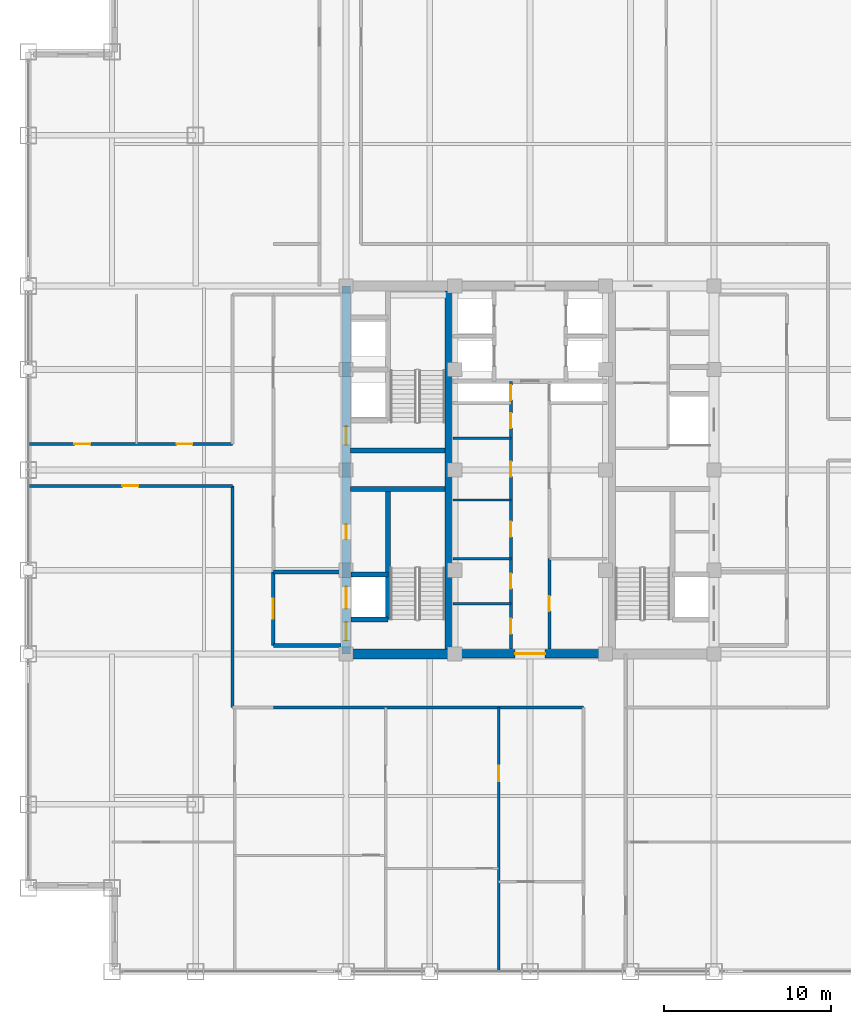
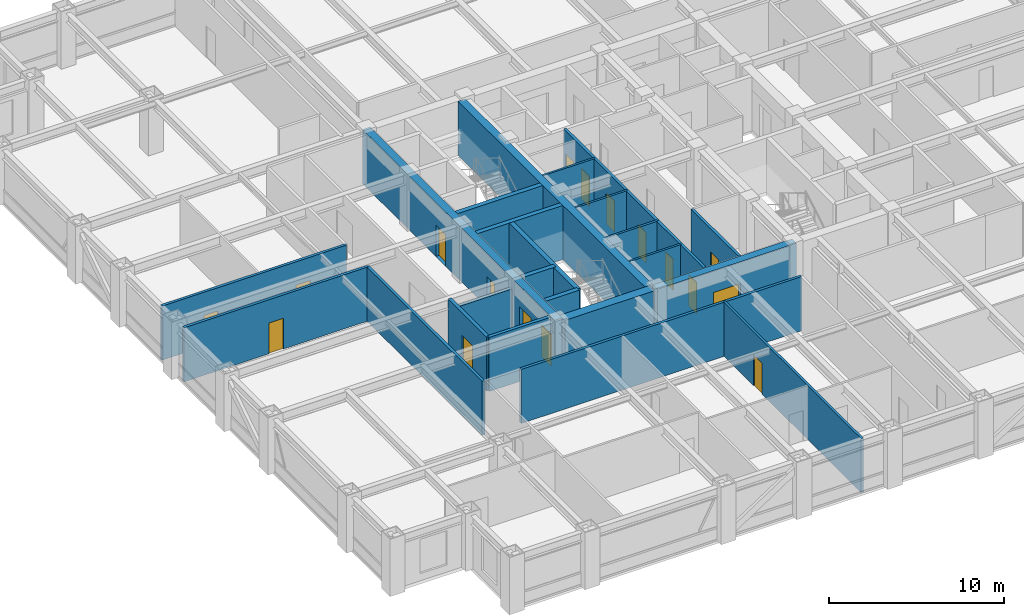
# One storey, part 20 of 24: 24 walls, 17 doors, 17 openings.
"""IFC4 building model written with IfcOpenShell, lengths in metres."""

from ifc_helpers import new_model, si_unit, direction, frame, frame_2d, origin, place, context, subcontext, project, spatial, rectangle, extrude, source, transform, mapped, material, layer, layer_set, type_object, element, fill, save


model = new_model("IFC4")

# Units and contexts
model_context = context("Model", 3, precision=1e-05, world=origin(), true_north=direction((0.0, 1.0)))
body_context = subcontext(model_context, "Body", "Model", "MODEL_VIEW")
ifc_project = project(units=[si_unit("LENGTHUNIT", "METRE"), si_unit("AREAUNIT", "SQUARE_METRE"), si_unit("VOLUMEUNIT", "CUBIC_METRE"), si_unit("PLANEANGLEUNIT", "RADIAN"), si_unit("MASSUNIT", "GRAM", prefix="KILO")], contexts=[model_context])

# Site, building, storey
site_placement = place(None, origin())
site = spatial("IfcSite", under=ifc_project, at=site_placement, CompositionType="ELEMENT")
building_placement = place(site_placement, origin())
building = spatial("IfcBuilding", under=site, at=building_placement, Name="Khorayat Bourse Tower", CompositionType="ELEMENT")
storey_placement = place(building_placement, frame((0.0, 0.0, 211.10009765625)))
storey = spatial("IfcBuildingStorey", under=building, at=storey_placement, Name="L49", CompositionType="ELEMENT", Elevation=211.10009765625)

# Wall
ifc_material_1 = material(Name="Concrete C52/65", Category="concrete")
ifc_layer_1 = layer(ifc_material_1, 0.5)
ifc_layer_set_1 = layer_set([ifc_layer_1], Name="Concrete C52/65")
wall_type_1 = type_object("IfcWallType", Name="WAL-CORE-500", PredefinedType="SHEAR", material=ifc_layer_set_1)
shared_shape_1 = source(origin(), body_context, "Body", "SweptSolid", [
    extrude(rectangle(XDim=21.39990234375, YDim=0.5, at=frame_2d((10.699951171875, 0.0))), origin(), (0.0, 0.0, 1.0), 3.77978515625),
])
wall_1_placement = place(storey_placement, frame((-4.85009765625, -10.699951171875, 0.0), z_axis=(0.0, 0.0, 1.0), x_axis=(0.0, 1.0, 0.0)))
element("IfcWall", 1, at=wall_1_placement, inside=storey, type_object=wall_type_1, Name="L49 Core Shear Wall PIER-W", PredefinedType="SHEAR", context=body_context, shape_type="MappedRepresentation", body=[
    mapped(shared_shape_1, transform((0.0, 0.0, 0.0), scale=1.0)),
])

# Wall, opening, door
shared_shape_2 = source(origin(), body_context, "Body", "SweptSolid", [
    extrude(rectangle(XDim=9.2001953125, YDim=0.5, at=frame_2d((4.60009765625, 0.0))), origin(), (0.0, 0.0, 1.0), 3.77978515625),
])
wall_2_placement = place(storey_placement, frame((-4.60009765625, -11.0, 0.0), z_axis=(0.0, 0.0, 1.0), x_axis=(1.0, 0.0, 0.0)))
wall_2 = element("IfcWall", 2, at=wall_2_placement, inside=storey, type_object=wall_type_1, Name="L49 Core Shear Wall CORE-S", PredefinedType="SHEAR", context=body_context, shape_type="MappedRepresentation", body=[
    mapped(shared_shape_2, transform((0.0, 0.0, 0.0), scale=1.0)),
])
shared_shape_3 = source(origin(), body_context, "Body", "SweptSolid", [
    extrude(rectangle(XDim=1.800048828125, YDim=2.25, at=frame_2d((0.89990234375, 1.125))), frame((0.0, 0.260009765625, 0.0), z_axis=(0.0, -1.0, 0.0), x_axis=(1.0, 0.0, 0.0)), (0.0, 0.0, 1.0), 0.52001953125),
])
opening_1_placement = place(wall_2_placement, frame((3.699951171875, 0.0, 0.0)))
opening_1 = element("IfcOpeningElement", 3, at=opening_1_placement, cuts=wall_2, Name="Opening DI-03", PredefinedType="OPENING", context=body_context, shape_type="MappedRepresentation", body=[
    mapped(shared_shape_3, transform((0.0, 0.0, 0.0), scale=1.0)),
])
ifc_material_2 = material(Name="Fire-rated hardwood vision-panel double leaf", Category="wood")
door_type_1 = type_object("IfcDoorType", Name="DR-INT-CORR-1800", OperationType="NOTDEFINED", PredefinedType="DOOR", material=ifc_material_2)
shared_shape_4 = source(origin(), body_context, "Body", "SweptSolid", [
    extrude(rectangle(XDim=1.800048828125, YDim=2.25, at=frame_2d((0.89990234375, 1.125))), frame((0.0, 0.02490234375, 0.0), z_axis=(0.0, -1.0, 0.0), x_axis=(1.0, 0.0, 0.0)), (0.0, 0.0, 1.0), 0.050048828125),
])
door_1_placement = place(opening_1_placement, origin())
door_1 = element("IfcDoor", 4, at=door_1_placement, inside=storey, type_object=door_type_1, Name="L49 Central Core South Passage Door", OperationType="SINGLE_SWING_LEFT", OverallHeight=2.25, OverallWidth=1.800048828125, PredefinedType="DOOR", context=body_context, shape_type="MappedRepresentation", body=[
    mapped(shared_shape_4, transform((0.0, 0.0, 0.0), scale=1.0)),
])
fill(opening_1, door_1)

# Wall, openings, doors
shared_shape_5 = source(origin(), body_context, "Body", "SweptSolid", [
    extrude(rectangle(XDim=22.0, YDim=0.5, at=frame_2d((11.0, 0.0))), origin(), (0.0, 0.0, 1.0), 3.77978515625),
])
wall_3_placement = place(storey_placement, frame((-11.0, -11.0, 0.0), z_axis=(0.0, 0.0, 1.0), x_axis=(0.0, 1.0, 0.0)))
wall_3 = element("IfcWall", 5, at=wall_3_placement, inside=storey, type_object=wall_type_1, Name="L49 Core Shear Wall CORE-W", PredefinedType="SHEAR", context=body_context, shape_type="MappedRepresentation", body=[
    mapped(shared_shape_5, transform((0.0, 0.0, 0.0), scale=1.0)),
])
shared_shape_6 = source(origin(), body_context, "Body", "SweptSolid", [
    extrude(rectangle(XDim=1.10009765625, YDim=2.199951171875, at=frame_2d((0.550048828125, 1.10009765625))), frame((0.0, 0.260009765625, 0.0), z_axis=(0.0, -1.0, 0.0), x_axis=(1.0, 0.0, 0.0)), (0.0, 0.0, 1.0), 0.52001953125),
])
opening_2_placement = place(wall_3_placement, frame((0.800048828125, 0.0, 0.0)))
opening_2 = element("IfcOpeningElement", 6, at=opening_2_placement, cuts=wall_3, Name="Opening DI-01", PredefinedType="OPENING", context=body_context, shape_type="MappedRepresentation", body=[
    mapped(shared_shape_6, transform((0.0, 0.0, 0.0), scale=1.0)),
])
opening_3_placement = place(wall_3_placement, frame((12.5, 0.0, 0.0)))
opening_3 = element("IfcOpeningElement", 7, at=opening_3_placement, cuts=wall_3, Name="Opening DI-01", PredefinedType="OPENING", context=body_context, shape_type="MappedRepresentation", body=[
    mapped(shared_shape_6, transform((0.0, 0.0, 0.0), scale=1.0)),
])
shared_shape_7 = source(origin(), body_context, "Body", "SweptSolid", [
    extrude(rectangle(XDim=0.89990234375, YDim=2.14990234375, at=frame_2d((0.449951171875, 1.074951171875))), frame((0.0, 0.260009765625, 0.0), z_axis=(0.0, -1.0, 0.0), x_axis=(1.0, 0.0, 0.0)), (0.0, 0.0, 1.0), 0.52001953125),
])
opening_4_placement = place(wall_3_placement, frame((6.85009765625, 0.0, 0.0)))
opening_4 = element("IfcOpeningElement", 8, at=opening_4_placement, cuts=wall_3, Name="Opening DI-06", PredefinedType="OPENING", context=body_context, shape_type="MappedRepresentation", body=[
    mapped(shared_shape_7, transform((0.0, 0.0, 0.0), scale=1.0)),
])
shared_shape_8 = source(origin(), body_context, "Body", "SweptSolid", [
    extrude(rectangle(XDim=1.300048828125, YDim=2.300048828125, at=frame_2d((0.64990234375, 1.14990234375))), frame((0.0, 0.260009765625, 0.0), z_axis=(0.0, -1.0, 0.0), x_axis=(1.0, 0.0, 0.0)), (0.0, 0.0, 1.0), 0.52001953125),
])
opening_5_placement = place(wall_3_placement, frame((2.699951171875, 0.0, 0.0)))
opening_5 = element("IfcOpeningElement", 9, at=opening_5_placement, cuts=wall_3, Name="Opening LD-02", PredefinedType="OPENING", context=body_context, shape_type="MappedRepresentation", body=[
    mapped(shared_shape_8, transform((0.0, 0.0, 0.0), scale=1.0)),
])
ifc_material_3 = material(Name="Fire-rated steel acoustic leaf", Category="steel")
door_type_2 = type_object("IfcDoorType", Name="DR-INT-STAIR-1100", OperationType="NOTDEFINED", PredefinedType="DOOR", material=ifc_material_3)
shared_shape_9 = source(origin(), body_context, "Body", "SweptSolid", [
    extrude(rectangle(XDim=1.10009765625, YDim=2.199951171875, at=frame_2d((0.550048828125, 1.10009765625))), frame((0.0, 0.02490234375, 0.0), z_axis=(0.0, -1.0, 0.0), x_axis=(1.0, 0.0, 0.0)), (0.0, 0.0, 1.0), 0.050048828125),
])
door_2_placement = place(opening_2_placement, origin())
door_2 = element("IfcDoor", 10, at=door_2_placement, inside=storey, type_object=door_type_2, Name="L49 Exit Stair 1 Door", OperationType="SINGLE_SWING_RIGHT", OverallHeight=2.199951171875, OverallWidth=1.10009765625, PredefinedType="DOOR", context=body_context, shape_type="MappedRepresentation", body=[
    mapped(shared_shape_9, transform((0.0, 0.0, 0.0), scale=1.0)),
])
fill(opening_2, door_2)
door_3_placement = place(opening_3_placement, origin())
door_3 = element("IfcDoor", 11, at=door_3_placement, inside=storey, type_object=door_type_2, Name="L49 Exit Stair 2 Door", OperationType="SINGLE_SWING_RIGHT", OverallHeight=2.199951171875, OverallWidth=1.10009765625, PredefinedType="DOOR", context=body_context, shape_type="MappedRepresentation", body=[
    mapped(shared_shape_9, transform((0.0, 0.0, 0.0), scale=1.0)),
])
fill(opening_3, door_3)
ifc_material_4 = material(Name="Moisture-resistant laminate washroom door")
door_type_3 = type_object("IfcDoorType", Name="DR-INT-WC-900", OperationType="NOTDEFINED", PredefinedType="DOOR", material=ifc_material_4)
shared_shape_10 = source(origin(), body_context, "Body", "SweptSolid", [
    extrude(rectangle(XDim=0.89990234375, YDim=2.14990234375, at=frame_2d((0.449951171875, 1.074951171875))), frame((0.0, 0.02490234375, 0.0), z_axis=(0.0, -1.0, 0.0), x_axis=(1.0, 0.0, 0.0)), (0.0, 0.0, 1.0), 0.050048828125),
])
door_4_placement = place(opening_4_placement, origin())
door_4 = element("IfcDoor", 12, at=door_4_placement, inside=storey, type_object=door_type_3, Name="L49 Electrical Switch Plant Room Door", OperationType="SINGLE_SWING_RIGHT", OverallHeight=2.14990234375, OverallWidth=0.89990234375, PredefinedType="DOOR", context=body_context, shape_type="MappedRepresentation", body=[
    mapped(shared_shape_10, transform((0.0, 0.0, 0.0), scale=1.0)),
])
fill(opening_4, door_4)
ifc_material_5 = material(Name="Fire-rated stainless-steel sliding landing door", Category="steel")
door_type_4 = type_object("IfcDoorType", Name="DR-LIFT-FF-1300", OperationType="NOTDEFINED", PredefinedType="DOOR", material=ifc_material_5)
shared_shape_11 = source(origin(), body_context, "Body", "SweptSolid", [
    extrude(rectangle(XDim=1.300048828125, YDim=2.300048828125, at=frame_2d((0.64990234375, 1.14990234375))), frame((0.0, 0.02490234375, 0.0), z_axis=(0.0, -1.0, 0.0), x_axis=(1.0, 0.0, 0.0)), (0.0, 0.0, 1.0), 0.050048828125),
])
door_5_placement = place(opening_5_placement, origin())
door_5 = element("IfcDoor", 13, at=door_5_placement, inside=storey, type_object=door_type_4, Name="L49 Lift FFL-01 Sliding Landing Door", OperationType="SLIDING_TO_LEFT", OverallHeight=2.300048828125, OverallWidth=1.300048828125, PredefinedType="DOOR", context=body_context, shape_type="MappedRepresentation", body=[
    mapped(shared_shape_11, transform((0.0, 0.0, 0.0), scale=1.0)),
])
fill(opening_5, door_5)

# Walls
ifc_material_6 = material(Name="Concrete C60/75", Category="concrete")
ifc_layer_2 = layer(ifc_material_6, 0.60009765625)
ifc_layer_set_2 = layer_set([ifc_layer_2], Name="Concrete C60/75")
wall_type_2 = type_object("IfcWallType", Name="WAL-CORE-600", PredefinedType="SHEAR", material=ifc_layer_set_2)
shared_shape_12 = source(origin(), body_context, "Body", "SweptSolid", [
    extrude(rectangle(XDim=5.89990234375, YDim=0.60009765625, at=frame_2d((2.949951171875, 0.0))), origin(), (0.0, 0.0, 1.0), 3.77978515625),
])
wall_4_placement = place(storey_placement, frame((-10.75, -11.0, 0.0), z_axis=(0.0, 0.0, 1.0), x_axis=(1.0, 0.0, 0.0)))
element("IfcWall", 14, at=wall_4_placement, inside=storey, type_object=wall_type_2, Name="L49 Core Shear Wall PIER-WS", PredefinedType="SHEAR", context=body_context, shape_type="MappedRepresentation", body=[
    mapped(shared_shape_12, transform((0.0, 0.0, 0.0), scale=1.0)),
])
ifc_material_7 = material(Name="Concrete C50/60", Category="concrete")
ifc_layer_3 = layer(ifc_material_7, 0.300048828125)
ifc_layer_set_3 = layer_set([ifc_layer_3], Name="Concrete C50/60")
wall_type_3 = type_object("IfcWallType", Name="WAL-SHAFT-300", PredefinedType="SHEAR", material=ifc_layer_set_3)
shared_shape_13 = source(origin(), body_context, "Body", "SweptSolid", [
    extrude(rectangle(XDim=5.64990234375, YDim=0.300048828125, at=frame_2d((2.824951171875, 0.0))), origin(), (0.0, 0.0, 1.0), 3.77978515625),
])
for number, where, z_axis, x_axis, name in (
    (15, (-10.75, -1.14990234375, 0.0), (0.0, 0.0, 1.0), (1.0, 0.0, 0.0), "L49 Core Shear Wall ST1-DIV"),
    (16, (-10.75, 1.14990234375, 0.0), (0.0, 0.0, 1.0), (1.0, 0.0, 0.0), "L49 Core Shear Wall ST2-DIV"),
):
    element("IfcWall", number, at=place(storey_placement, frame(where, z_axis=z_axis, x_axis=x_axis)), inside=storey, type_object=wall_type_3, Name=name, PredefinedType="SHEAR", context=body_context, shape_type="MappedRepresentation", body=[
        mapped(shared_shape_13, transform((0.0, 0.0, 0.0), scale=1.0)),
    ])
ifc_material_8 = material(Name="Aerated concrete blockwork", Category="masonry")
ifc_layer_4 = layer(ifc_material_8, 0.219970703125)
ifc_layer_set_4 = layer_set([ifc_layer_4], Name="Aerated concrete blockwork")
wall_type_4 = type_object("IfcWallType", Name="WAL-PART-FF-220", PredefinedType="PARTITIONING", material=ifc_layer_set_4)
shared_shape_14 = source(origin(), body_context, "Body", "SweptSolid", [
    extrude(rectangle(XDim=4.050048828125, YDim=0.219970703125, at=frame_2d((2.02490234375, 0.0))), origin(), (0.0, 0.0, 1.0), 3.0849609375),
])
wall_5_placement = place(storey_placement, frame((-15.35009765625, -6.10009765625, 0.0), z_axis=(0.0, 0.0, 1.0), x_axis=(1.0, 0.0, 0.0)))
element("IfcWall", 17, at=wall_5_placement, inside=storey, type_object=wall_type_4, Name="L49 Partition WAL-L49-FFLW-N", PredefinedType="PARTITIONING", context=body_context, shape_type="MappedRepresentation", body=[
    mapped(shared_shape_14, transform((0.0, 0.0, 0.0), scale=1.0)),
])
shared_shape_15 = source(origin(), body_context, "Body", "SweptSolid", [
    extrude(rectangle(XDim=7.800048828125, YDim=0.300048828125, at=frame_2d((3.89990234375, 0.0))), origin(), (0.0, 0.0, 1.0), 3.77978515625),
])
wall_6_placement = place(storey_placement, frame((-8.5, -8.949951171875, 0.0), z_axis=(0.0, 0.0, 1.0), x_axis=(0.0, 1.0, 0.0)))
element("IfcWall", 18, at=wall_6_placement, inside=storey, type_object=wall_type_3, Name="L49 Partition WAL-L49-WPIER-SP", PredefinedType="SHEAR", context=body_context, shape_type="MappedRepresentation", body=[
    mapped(shared_shape_15, transform((0.0, 0.0, 0.0), scale=1.0)),
])
shared_shape_16 = source(origin(), body_context, "Body", "SweptSolid", [
    extrude(rectangle(XDim=2.199951171875, YDim=0.300048828125, at=frame_2d((1.10009765625, 0.0))), origin(), (0.0, 0.0, 1.0), 3.77978515625),
])
for number, where, z_axis, x_axis, name in (
    (19, (-10.699951171875, -8.949951171875, 0.0), (0.0, 0.0, 1.0), (1.0, 0.0, 0.0), "L49 Partition WAL-L49-WPIER-FF1S"),
    (20, (-10.699951171875, -6.25, 0.0), (0.0, 0.0, 1.0), (1.0, 0.0, 0.0), "L49 Partition WAL-L49-WPIER-FF1N"),
):
    element("IfcWall", number, at=place(storey_placement, frame(where, z_axis=z_axis, x_axis=x_axis)), inside=storey, type_object=wall_type_3, Name=name, PredefinedType="SHEAR", context=body_context, shape_type="MappedRepresentation", body=[
        mapped(shared_shape_16, transform((0.0, 0.0, 0.0), scale=1.0)),
    ])
shared_shape_17 = source(origin(), body_context, "Body", "SweptSolid", [
    extrude(rectangle(XDim=4.050048828125, YDim=0.219970703125, at=frame_2d((2.02490234375, 0.0))), origin(), (0.0, 0.0, 1.0), 3.77978515625),
])
wall_7_placement = place(storey_placement, frame((-15.35009765625, -10.5, 0.0), z_axis=(0.0, 0.0, 1.0), x_axis=(1.0, 0.0, 0.0)))
element("IfcWall", 21, at=wall_7_placement, inside=storey, type_object=wall_type_4, Name="L49 Partition WAL-L49-FFLW-S", PredefinedType="PARTITIONING", context=body_context, shape_type="MappedRepresentation", body=[
    mapped(shared_shape_17, transform((0.0, 0.0, 0.0), scale=1.0)),
])

# Wall, opening, door
shared_shape_18 = source(origin(), body_context, "Body", "SweptSolid", [
    extrude(rectangle(XDim=4.39990234375, YDim=0.219970703125, at=frame_2d((2.199951171875, 0.0))), origin(), (0.0, 0.0, 1.0), 3.77978515625),
])
wall_8_placement = place(storey_placement, frame((-15.35009765625, -10.5, 0.0), z_axis=(0.0, 0.0, 1.0), x_axis=(0.0, 1.0, 0.0)))
wall_8 = element("IfcWall", 22, at=wall_8_placement, inside=storey, type_object=wall_type_4, Name="L49 Partition WAL-L49-FFLW-W", PredefinedType="PARTITIONING", context=body_context, shape_type="MappedRepresentation", body=[
    mapped(shared_shape_18, transform((0.0, 0.0, 0.0), scale=1.0)),
])
shared_shape_19 = source(origin(), body_context, "Body", "SweptSolid", [
    extrude(rectangle(XDim=1.199951171875, YDim=2.199951171875, at=frame_2d((0.60009765625, 1.10009765625))), frame((0.0, 0.119873046875, 0.0), z_axis=(0.0, -1.0, 0.0), x_axis=(1.0, 0.0, 0.0)), (0.0, 0.0, 1.0), 0.239990234375),
])
opening_6_placement = place(wall_8_placement, frame((1.60009765625, 0.0, 0.0)))
opening_6 = element("IfcOpeningElement", 23, at=opening_6_placement, cuts=wall_8, Name="Opening DI-02", PredefinedType="OPENING", context=body_context, shape_type="MappedRepresentation", body=[
    mapped(shared_shape_19, transform((0.0, 0.0, 0.0), scale=1.0)),
])
ifc_material_9 = material(Name="Fire-rated steel double-seal leaf", Category="steel")
door_type_5 = type_object("IfcDoorType", Name="DR-INT-FFLOBBY-1200", OperationType="NOTDEFINED", PredefinedType="DOOR", material=ifc_material_9)
shared_shape_20 = source(origin(), body_context, "Body", "SweptSolid", [
    extrude(rectangle(XDim=1.199951171875, YDim=2.199951171875, at=frame_2d((0.60009765625, 1.10009765625))), frame((0.0, 0.02490234375, 0.0), z_axis=(0.0, -1.0, 0.0), x_axis=(1.0, 0.0, 0.0)), (0.0, 0.0, 1.0), 0.050048828125),
])
door_6_placement = place(opening_6_placement, origin())
door_6 = element("IfcDoor", 24, at=door_6_placement, inside=storey, type_object=door_type_5, Name="L49 West Firefighting Lobby Door", OperationType="SINGLE_SWING_LEFT", OverallHeight=2.199951171875, OverallWidth=1.199951171875, PredefinedType="DOOR", context=body_context, shape_type="MappedRepresentation", body=[
    mapped(shared_shape_20, transform((0.0, 0.0, 0.0), scale=1.0)),
])
fill(opening_6, door_6)

# Walls
ifc_material_10 = material(Name="Gypsum plasterboard twin-frame partition")
ifc_layer_5 = layer(ifc_material_10, 0.14990234375)
ifc_layer_set_5 = layer_set([ifc_layer_5], Name="Gypsum plasterboard twin-frame partition")
wall_type_5 = type_object("IfcWallType", Name="WAL-PART-SUITE-150", PredefinedType="PARTITIONING", material=ifc_layer_set_5)
shared_shape_21 = source(origin(), body_context, "Body", "SweptSolid", [
    extrude(rectangle(XDim=3.4501953125, YDim=0.14990234375, at=frame_2d((1.72509765625, 0.0))), origin(), (0.0, 0.0, 1.0), 3.77978515625),
])
wall_9_placement = place(storey_placement, frame((-4.60009765625, -5.300048828125, 0.0), z_axis=(0.0, 0.0, 1.0), x_axis=(1.0, 0.0, 0.0)))
element("IfcWall", 25, at=wall_9_placement, inside=storey, type_object=wall_type_5, Name="L49 Partition WAL-L49-FB1-NW", PredefinedType="PARTITIONING", context=body_context, shape_type="MappedRepresentation", body=[
    mapped(shared_shape_21, transform((0.0, 0.0, 0.0), scale=1.0)),
])
ifc_material_11 = material(Name="Moisture-resistant masonry partition", Category="masonry")
ifc_layer_6 = layer(ifc_material_11, 0.139892578125)
ifc_layer_set_6 = layer_set([ifc_layer_6], Name="Moisture-resistant masonry partition")
wall_type_6 = type_object("IfcWallType", Name="WAL-PART-WET-140", PredefinedType="PARTITIONING", material=ifc_layer_set_6)
shared_shape_22 = source(origin(), body_context, "Body", "SweptSolid", [
    extrude(rectangle(XDim=3.4501953125, YDim=0.139892578125, at=frame_2d((1.72509765625, 0.0))), origin(), (0.0, 0.0, 1.0), 3.77978515625),
])
for number, where, z_axis, x_axis, name in (
    (26, (-4.60009765625, -8.0, 0.0), (0.0, 0.0, 1.0), (1.0, 0.0, 0.0), "L49 Partition WAL-L49-FB1W-D1"),
    (27, (-4.60009765625, -1.800048828125, 0.0), (0.0, 0.0, 1.0), (1.0, 0.0, 0.0), "L49 Partition WAL-L49-CMW-D1"),
    (28, (-4.60009765625, 1.89990234375, 0.0), (0.0, 0.0, 1.0), (1.0, 0.0, 0.0), "L49 Partition WAL-L49-CMW-D2"),
):
    element("IfcWall", number, at=place(storey_placement, frame(where, z_axis=z_axis, x_axis=x_axis)), inside=storey, type_object=wall_type_6, Name=name, PredefinedType="PARTITIONING", context=body_context, shape_type="MappedRepresentation", body=[
        mapped(shared_shape_22, transform((0.0, 0.0, 0.0), scale=1.0)),
    ])

# Wall, openings, doors
ifc_material_12 = material(Name="Gypsum plasterboard acoustic stud wall")
ifc_layer_7 = layer(ifc_material_12, 0.179931640625)
ifc_layer_set_7 = layer_set([ifc_layer_7], Name="Gypsum plasterboard acoustic stud wall")
wall_type_7 = type_object("IfcWallType", Name="WAL-PART-CORR-180", PredefinedType="PARTITIONING", material=ifc_layer_set_7)
shared_shape_23 = source(origin(), body_context, "Body", "SweptSolid", [
    extrude(rectangle(XDim=5.39990234375, YDim=0.179931640625, at=frame_2d((2.699951171875, 0.0))), origin(), (0.0, 0.0, 1.0), 3.77978515625),
])
wall_10_placement = place(storey_placement, frame((-1.14990234375, -10.699951171875, 0.0), z_axis=(0.0, 0.0, 1.0), x_axis=(0.0, 1.0, 0.0)))
wall_10 = element("IfcWall", 29, at=wall_10_placement, inside=storey, type_object=wall_type_7, Name="L49 Partition WAL-L49-FB1W-L", PredefinedType="PARTITIONING", context=body_context, shape_type="MappedRepresentation", body=[
    mapped(shared_shape_23, transform((0.0, 0.0, 0.0), scale=1.0)),
])
shared_shape_24 = source(origin(), body_context, "Body", "SweptSolid", [
    extrude(rectangle(XDim=0.89990234375, YDim=2.14990234375, at=frame_2d((0.449951171875, 1.074951171875))), frame((0.0, 0.099853515625, 0.0), z_axis=(0.0, -1.0, 0.0), x_axis=(1.0, 0.0, 0.0)), (0.0, 0.0, 1.0), 0.199951171875),
])
opening_7_placement = place(wall_10_placement, frame((0.89990234375, 0.0, 0.0)))
opening_7 = element("IfcOpeningElement", 30, at=opening_7_placement, cuts=wall_10, Name="Opening DI-06", PredefinedType="OPENING", context=body_context, shape_type="MappedRepresentation", body=[
    mapped(shared_shape_24, transform((0.0, 0.0, 0.0), scale=1.0)),
])
opening_8_placement = place(wall_10_placement, frame((3.60009765625, 0.0, 0.0)))
opening_8 = element("IfcOpeningElement", 31, at=opening_8_placement, cuts=wall_10, Name="Opening DI-06", PredefinedType="OPENING", context=body_context, shape_type="MappedRepresentation", body=[
    mapped(shared_shape_24, transform((0.0, 0.0, 0.0), scale=1.0)),
])
door_7_placement = place(opening_7_placement, origin())
door_7 = element("IfcDoor", 32, at=door_7_placement, inside=storey, type_object=door_type_3, Name="L49 Clearing Vault Store Door", OperationType="SINGLE_SWING_RIGHT", OverallHeight=2.14990234375, OverallWidth=0.89990234375, PredefinedType="DOOR", context=body_context, shape_type="MappedRepresentation", body=[
    mapped(shared_shape_10, transform((0.0, 0.0, 0.0), scale=1.0)),
])
fill(opening_7, door_7)
door_8_placement = place(opening_8_placement, origin())
door_8 = element("IfcDoor", 33, at=door_8_placement, inside=storey, type_object=door_type_3, Name="L49 UPS Battery Plant Room Door", OperationType="SINGLE_SWING_LEFT", OverallHeight=2.14990234375, OverallWidth=0.89990234375, PredefinedType="DOOR", context=body_context, shape_type="MappedRepresentation", body=[
    mapped(shared_shape_10, transform((0.0, 0.0, 0.0), scale=1.0)),
])
fill(opening_8, door_8)

# Wall, opening, door
wall_11_placement = place(storey_placement, frame((1.14990234375, -10.699951171875, 0.0), z_axis=(0.0, 0.0, 1.0), x_axis=(0.0, 1.0, 0.0)))
wall_11 = element("IfcWall", 34, at=wall_11_placement, inside=storey, type_object=wall_type_7, Name="L49 Partition WAL-L49-FB1E-L", PredefinedType="PARTITIONING", context=body_context, shape_type="MappedRepresentation", body=[
    mapped(shared_shape_23, transform((0.0, 0.0, 0.0), scale=1.0)),
])
opening_9_placement = place(wall_11_placement, frame((2.25, 0.0, 0.0)))
opening_9 = element("IfcOpeningElement", 35, at=opening_9_placement, cuts=wall_11, Name="Opening DI-06", PredefinedType="OPENING", context=body_context, shape_type="MappedRepresentation", body=[
    mapped(shared_shape_24, transform((0.0, 0.0, 0.0), scale=1.0)),
])
door_9_placement = place(opening_9_placement, origin())
door_9 = element("IfcDoor", 36, at=door_9_placement, inside=storey, type_object=door_type_3, Name="L49 Core Archive Vault Door", OperationType="SINGLE_SWING_RIGHT", OverallHeight=2.14990234375, OverallWidth=0.89990234375, PredefinedType="DOOR", context=body_context, shape_type="MappedRepresentation", body=[
    mapped(shared_shape_10, transform((0.0, 0.0, 0.0), scale=1.0)),
])
fill(opening_9, door_9)

# Wall, openings, doors
shared_shape_25 = source(origin(), body_context, "Body", "SweptSolid", [
    extrude(rectangle(XDim=10.60009765625, YDim=0.179931640625, at=frame_2d((5.300048828125, 0.0))), origin(), (0.0, 0.0, 1.0), 3.77978515625),
])
wall_12_placement = place(storey_placement, frame((-1.14990234375, -5.300048828125, 0.0), z_axis=(0.0, 0.0, 1.0), x_axis=(0.0, 1.0, 0.0)))
wall_12 = element("IfcWall", 37, at=wall_12_placement, inside=storey, type_object=wall_type_7, Name="L49 Partition WAL-L49-CMW-L", PredefinedType="PARTITIONING", context=body_context, shape_type="MappedRepresentation", body=[
    mapped(shared_shape_25, transform((0.0, 0.0, 0.0), scale=1.0)),
])
opening_10_placement = place(wall_12_placement, frame((1.300048828125, 0.0, 0.0)))
opening_10 = element("IfcOpeningElement", 38, at=opening_10_placement, cuts=wall_12, Name="Opening DI-06", PredefinedType="OPENING", context=body_context, shape_type="MappedRepresentation", body=[
    mapped(shared_shape_24, transform((0.0, 0.0, 0.0), scale=1.0)),
])
opening_11_placement = place(wall_12_placement, frame((4.89990234375, 0.0, 0.0)))
opening_11 = element("IfcOpeningElement", 39, at=opening_11_placement, cuts=wall_12, Name="Opening DI-06", PredefinedType="OPENING", context=body_context, shape_type="MappedRepresentation", body=[
    mapped(shared_shape_24, transform((0.0, 0.0, 0.0), scale=1.0)),
])
opening_12_placement = place(wall_12_placement, frame((7.800048828125, 0.0, 0.0)))
opening_12 = element("IfcOpeningElement", 40, at=opening_12_placement, cuts=wall_12, Name="Opening DI-06", PredefinedType="OPENING", context=body_context, shape_type="MappedRepresentation", body=[
    mapped(shared_shape_24, transform((0.0, 0.0, 0.0), scale=1.0)),
])
opening_13_placement = place(wall_12_placement, frame((9.47509765625, 0.0, 0.0)))
opening_13 = element("IfcOpeningElement", 41, at=opening_13_placement, cuts=wall_12, Name="Opening DI-06", PredefinedType="OPENING", context=body_context, shape_type="MappedRepresentation", body=[
    mapped(shared_shape_24, transform((0.0, 0.0, 0.0), scale=1.0)),
])
door_10_placement = place(opening_10_placement, origin())
door_10 = element("IfcDoor", 42, at=door_10_placement, inside=storey, type_object=door_type_3, Name="L49 Male Core Washroom Door", OperationType="SINGLE_SWING_RIGHT", OverallHeight=2.14990234375, OverallWidth=0.89990234375, PredefinedType="DOOR", context=body_context, shape_type="MappedRepresentation", body=[
    mapped(shared_shape_10, transform((0.0, 0.0, 0.0), scale=1.0)),
])
fill(opening_10, door_10)
door_11_placement = place(opening_11_placement, origin())
door_11 = element("IfcDoor", 43, at=door_11_placement, inside=storey, type_object=door_type_3, Name="L49 AHU Fan Plant Room Door", OperationType="SINGLE_SWING_LEFT", OverallHeight=2.14990234375, OverallWidth=0.89990234375, PredefinedType="DOOR", context=body_context, shape_type="MappedRepresentation", body=[
    mapped(shared_shape_10, transform((0.0, 0.0, 0.0), scale=1.0)),
])
fill(opening_11, door_11)
door_12_placement = place(opening_12_placement, origin())
door_12 = element("IfcDoor", 44, at=door_12_placement, inside=storey, type_object=door_type_3, Name="L49 Janitor Store Door", OperationType="SINGLE_SWING_RIGHT", OverallHeight=2.14990234375, OverallWidth=0.89990234375, PredefinedType="DOOR", context=body_context, shape_type="MappedRepresentation", body=[
    mapped(shared_shape_10, transform((0.0, 0.0, 0.0), scale=1.0)),
])
fill(opening_12, door_12)
door_13_placement = place(opening_13_placement, origin())
door_13 = element("IfcDoor", 45, at=door_13_placement, inside=storey, type_object=door_type_3, Name="L49 West Core Riser Door", OperationType="SINGLE_SWING_LEFT", OverallHeight=2.14990234375, OverallWidth=0.89990234375, PredefinedType="DOOR", context=body_context, shape_type="MappedRepresentation", body=[
    mapped(shared_shape_10, transform((0.0, 0.0, 0.0), scale=1.0)),
])
fill(opening_13, door_13)

# Wall, opening, door
shared_shape_26 = source(origin(), body_context, "Body", "SweptSolid", [
    extrude(rectangle(XDim=15.800048828125, YDim=0.14990234375, at=frame_2d((7.89990234375, 0.0))), origin(), (0.0, 0.0, 1.0), 3.77978515625),
])
wall_13_placement = place(storey_placement, frame((-1.8759765625, -30.0, 0.0), z_axis=(0.0, 0.0, 1.0), x_axis=(0.0, 1.0, 0.0)))
wall_13 = element("IfcWall", 46, at=wall_13_placement, inside=storey, type_object=wall_type_5, Name="L49 Partition WAL-L49-QSWDV-3", PredefinedType="PARTITIONING", context=body_context, shape_type="MappedRepresentation", body=[
    mapped(shared_shape_26, transform((0.0, 0.0, 0.0), scale=1.0)),
])
shared_shape_27 = source(origin(), body_context, "Body", "SweptSolid", [
    extrude(rectangle(XDim=0.949951171875, YDim=2.14990234375, at=frame_2d((0.47509765625, 1.074951171875))), frame((0.0, 0.0849609375, 0.0), z_axis=(0.0, -1.0, 0.0), x_axis=(1.0, 0.0, 0.0)), (0.0, 0.0, 1.0), 0.169921875),
])
opening_14_placement = place(wall_13_placement, frame((11.375, 0.0, 0.0)))
opening_14 = element("IfcOpeningElement", 47, at=opening_14_placement, cuts=wall_13, Name="Opening DI-05", PredefinedType="OPENING", context=body_context, shape_type="MappedRepresentation", body=[
    mapped(shared_shape_27, transform((0.0, 0.0, 0.0), scale=1.0)),
])
ifc_material_13 = material(Name="Acoustic oak veneer office door")
door_type_6 = type_object("IfcDoorType", Name="DR-INT-OFFICE-950", OperationType="NOTDEFINED", PredefinedType="DOOR", material=ifc_material_13)
shared_shape_28 = source(origin(), body_context, "Body", "SweptSolid", [
    extrude(rectangle(XDim=0.949951171875, YDim=2.14990234375, at=frame_2d((0.47509765625, 1.074951171875))), frame((0.0, 0.02490234375, 0.0), z_axis=(0.0, -1.0, 0.0), x_axis=(1.0, 0.0, 0.0)), (0.0, 0.0, 1.0), 0.050048828125),
])
door_14_placement = place(opening_14_placement, origin())
door_14 = element("IfcDoor", 48, at=door_14_placement, inside=storey, type_object=door_type_6, Name="L49 South-West Suite Link 3", OperationType="SINGLE_SWING_RIGHT", OverallHeight=2.14990234375, OverallWidth=0.949951171875, PredefinedType="DOOR", context=body_context, shape_type="MappedRepresentation", body=[
    mapped(shared_shape_28, transform((0.0, 0.0, 0.0), scale=1.0)),
])
fill(opening_14, door_14)

shared_shape_29 = source(origin(), body_context, "Body", "SweptSolid", [
    extrude(rectangle(XDim=12.199951171875, YDim=0.179931640625, at=frame_2d((6.10009765625, 0.0))), origin(), (0.0, 0.0, 1.0), 3.77978515625),
])
wall_14_placement = place(storey_placement, frame((-30.0, -0.949951171875, 0.0), z_axis=(0.0, 0.0, 1.0), x_axis=(1.0, 0.0, 0.0)))
wall_14 = element("IfcWall", 49, at=wall_14_placement, inside=storey, type_object=wall_type_7, Name="L49 Partition WAL-L49-WS-SPK", PredefinedType="PARTITIONING", context=body_context, shape_type="MappedRepresentation", body=[
    mapped(shared_shape_29, transform((0.0, 0.0, 0.0), scale=1.0)),
])
shared_shape_30 = source(origin(), body_context, "Body", "SweptSolid", [
    extrude(rectangle(XDim=0.949951171875, YDim=2.14990234375, at=frame_2d((0.47509765625, 1.074951171875))), frame((0.0, 0.099853515625, 0.0), z_axis=(0.0, -1.0, 0.0), x_axis=(1.0, 0.0, 0.0)), (0.0, 0.0, 1.0), 0.199951171875),
])
opening_15_placement = place(wall_14_placement, frame((5.625, 0.0, 0.0)))
opening_15 = element("IfcOpeningElement", 50, at=opening_15_placement, cuts=wall_14, Name="Opening DI-05", PredefinedType="OPENING", context=body_context, shape_type="MappedRepresentation", body=[
    mapped(shared_shape_30, transform((0.0, 0.0, 0.0), scale=1.0)),
])
door_15_placement = place(opening_15_placement, origin())
door_15 = element("IfcDoor", 51, at=door_15_placement, inside=storey, type_object=door_type_6, Name="L49 Market Risk Analytics Workspace WS Door", OperationType="SINGLE_SWING_LEFT", OverallHeight=2.14990234375, OverallWidth=0.949951171875, PredefinedType="DOOR", context=body_context, shape_type="MappedRepresentation", body=[
    mapped(shared_shape_28, transform((0.0, 0.0, 0.0), scale=1.0)),
])
fill(opening_15, door_15)

# Wall, openings, doors
wall_15_placement = place(storey_placement, frame((-30.0, 1.550048828125, 0.0), z_axis=(0.0, 0.0, 1.0), x_axis=(1.0, 0.0, 0.0)))
wall_15 = element("IfcWall", 52, at=wall_15_placement, inside=storey, type_object=wall_type_7, Name="L49 Partition WAL-L49-WN-SPK", PredefinedType="PARTITIONING", context=body_context, shape_type="MappedRepresentation", body=[
    mapped(shared_shape_29, transform((0.0, 0.0, 0.0), scale=1.0)),
])
opening_16_placement = place(wall_15_placement, frame((2.758056640625, 0.0, 0.0)))
opening_16 = element("IfcOpeningElement", 53, at=opening_16_placement, cuts=wall_15, Name="Opening DI-05", PredefinedType="OPENING", context=body_context, shape_type="MappedRepresentation", body=[
    mapped(shared_shape_30, transform((0.0, 0.0, 0.0), scale=1.0)),
])
opening_17_placement = place(wall_15_placement, frame((8.85791015625, 0.0, 0.0)))
opening_17 = element("IfcOpeningElement", 54, at=opening_17_placement, cuts=wall_15, Name="Opening DI-05", PredefinedType="OPENING", context=body_context, shape_type="MappedRepresentation", body=[
    mapped(shared_shape_30, transform((0.0, 0.0, 0.0), scale=1.0)),
])
door_16_placement = place(opening_16_placement, origin())
door_16 = element("IfcDoor", 55, at=door_16_placement, inside=storey, type_object=door_type_6, Name="L49 Equities Trading Desk WNA Door", OperationType="SINGLE_SWING_LEFT", OverallHeight=2.14990234375, OverallWidth=0.949951171875, PredefinedType="DOOR", context=body_context, shape_type="MappedRepresentation", body=[
    mapped(shared_shape_28, transform((0.0, 0.0, 0.0), scale=1.0)),
])
fill(opening_16, door_16)
door_17_placement = place(opening_17_placement, origin())
door_17 = element("IfcDoor", 56, at=door_17_placement, inside=storey, type_object=door_type_6, Name="L49 Clearing Operations Office WNB Door", OperationType="SINGLE_SWING_RIGHT", OverallHeight=2.14990234375, OverallWidth=0.949951171875, PredefinedType="DOOR", context=body_context, shape_type="MappedRepresentation", body=[
    mapped(shared_shape_28, transform((0.0, 0.0, 0.0), scale=1.0)),
])
fill(opening_17, door_17)

# Walls
shared_shape_31 = source(origin(), body_context, "Body", "SweptSolid", [
    extrude(rectangle(XDim=18.550048828125, YDim=0.179931640625, at=frame_2d((9.27490234375, 0.0))), origin(), (0.0, 0.0, 1.0), 3.77978515625),
])
wall_16_placement = place(storey_placement, frame((-15.35009765625, -14.199951171875, 0.0), z_axis=(0.0, 0.0, 1.0), x_axis=(1.0, 0.0, 0.0)))
element("IfcWall", 57, at=wall_16_placement, inside=storey, type_object=wall_type_7, Name="L49 Partition WAL-L49-QSW-HC", PredefinedType="PARTITIONING", context=body_context, shape_type="MappedRepresentation", body=[
    mapped(shared_shape_31, transform((0.0, 0.0, 0.0), scale=1.0)),
])
shared_shape_32 = source(origin(), body_context, "Body", "SweptSolid", [
    extrude(rectangle(XDim=13.25, YDim=0.179931640625, at=frame_2d((6.625, 0.0))), origin(), (0.0, 0.0, 1.0), 3.77978515625),
])
wall_17_placement = place(storey_placement, frame((-17.800048828125, -14.199951171875, 0.0), z_axis=(0.0, 0.0, 1.0), x_axis=(0.0, 1.0, 0.0)))
element("IfcWall", 58, at=wall_17_placement, inside=storey, type_object=wall_type_7, Name="L49 Partition WAL-L49-WS-IN", PredefinedType="PARTITIONING", context=body_context, shape_type="MappedRepresentation", body=[
    mapped(shared_shape_32, transform((0.0, 0.0, 0.0), scale=1.0)),
])

save(model, "model.ifc")
